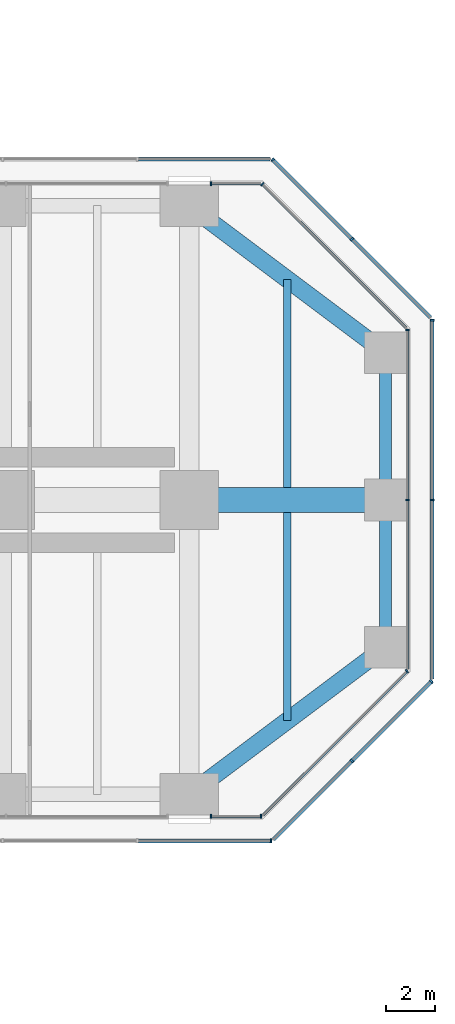
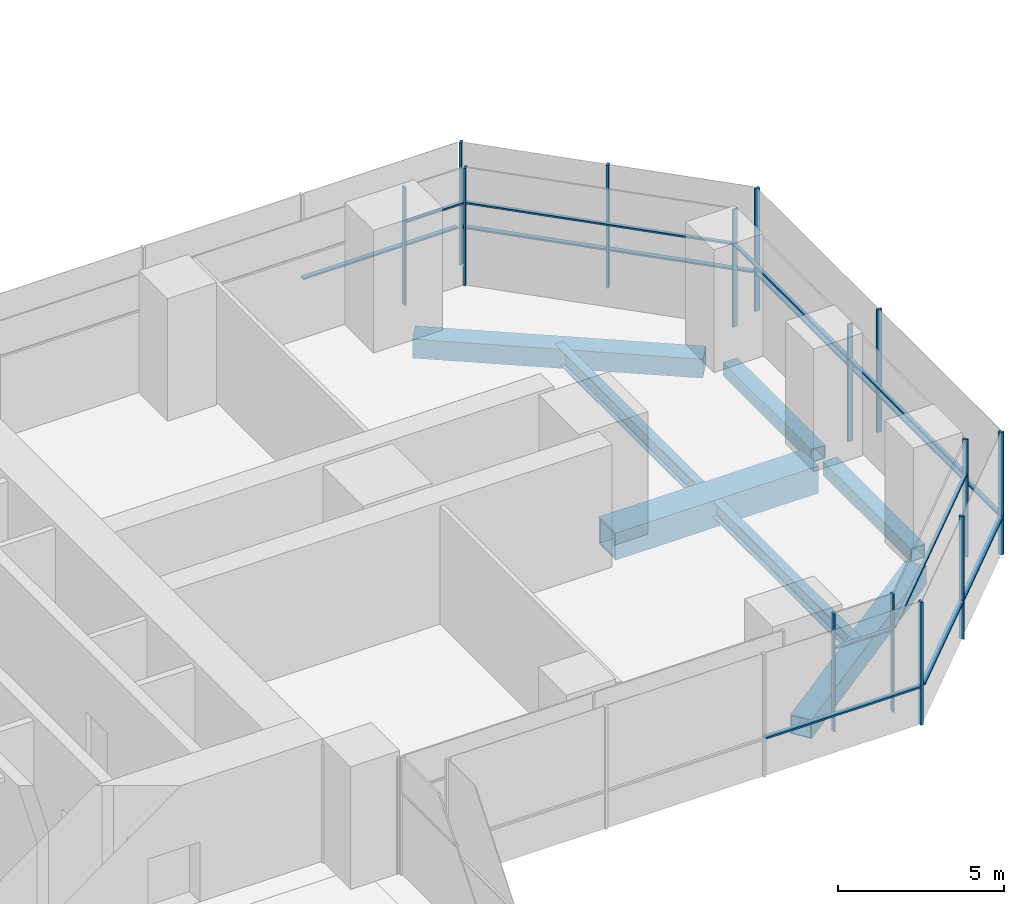
# One storey, part 11 of 27: 28 members, 7 beams, 10 elements without a shape of their own.
"""IFC4 building model written with IfcOpenShell, lengths in metres."""

import ifcopenshell
import ifcopenshell.guid

model = None  # the IFC model being written
_history = None  # IfcOwnerHistory: only IFC2X3 demands one
_inside = {}  # id of a spatial element -> (the spatial element, [elements in it])
_under = {}  # id of a project, library or spatial element -> (it, [spatial elements below it])
_declared = {}  # id of a project -> (the project, [libraries it declares])
_typed = {}  # id of a type object -> (the type object, [elements of that type])
_made_of = {}  # id of a material, layer set ... -> (it, [elements and type objects made of it])


def new_model(schema):
    """Start an empty IFC model of exactly this schema.

    Asked for "IFC4X3", IfcOpenShell would pick the latest addendum, in which some entities
    have other attributes; the version numbers below select the first issue.
    IFC2X3 requires an IfcOwnerHistory on every rooted entity: one is made here for all.
    """
    global model, _history
    if schema == "IFC4X3":
        model = ifcopenshell.file(schema_version=(4, 3, 0, 0))
    else:
        model = ifcopenshell.file(schema=schema)
    _inside.clear()
    _under.clear()
    _declared.clear()
    _typed.clear()
    _made_of.clear()
    _history = None
    if model.schema == "IFC2X3":
        org = make("IfcOrganization", Name="unknown")
        user = make(
            "IfcPersonAndOrganization",
            ThePerson=make("IfcPerson", FamilyName="unknown"),
            TheOrganization=org,
        )
        app = make(
            "IfcApplication",
            ApplicationDeveloper=org,
            Version="unknown",
            ApplicationFullName="unknown",
            ApplicationIdentifier="unknown",
        )
        _history = make(
            "IfcOwnerHistory",
            OwningUser=user,
            OwningApplication=app,
            ChangeAction="ADDED",
            CreationDate=0,
        )
    return model


def make(cls, **values):
    """One entity of the class cls with the attributes given. An attribute that is None is left unset."""
    return model.create_entity(
        cls, **{name: value for name, value in values.items() if value is not None}
    )


def rooted(cls, **values):
    """An entity with a GlobalId (a new one), such as an element, a storey or a relation."""
    return make(cls, GlobalId=ifcopenshell.guid.new(), OwnerHistory=_history, **values)


def si_unit(unit_type, name, prefix=None):
    """IfcSIUnit, for example si_unit("LENGTHUNIT", "METRE", prefix="MILLI")."""
    return make("IfcSIUnit", UnitType=unit_type, Prefix=prefix, Name=name)


def assignment(units):
    """IfcUnitAssignment: the units of a project."""
    return None if units is None else make("IfcUnitAssignment", Units=units)


def point(xyz):
    """IfcCartesianPoint."""
    return None if xyz is None else make("IfcCartesianPoint", Coordinates=xyz)


def direction(xyz):
    """IfcDirection."""
    return None if xyz is None else make("IfcDirection", DirectionRatios=xyz)


def frame(location, z_axis=None, x_axis=None):
    """IfcAxis2Placement3D, a coordinate frame: its origin and axes. An axis left out is left unset."""
    return make(
        "IfcAxis2Placement3D",
        Location=point(location),
        Axis=direction(z_axis),
        RefDirection=direction(x_axis),
    )


def frame_2d(location, x_axis=None):
    """IfcAxis2Placement2D, a coordinate frame in the plane: its origin and x axis."""
    return make(
        "IfcAxis2Placement2D", Location=point(location), RefDirection=direction(x_axis)
    )


def origin():
    """The frame at (0, 0, 0) with its axes left unset."""
    return frame((0.0, 0.0, 0.0))


def origin_2d():
    """The frame at (0, 0) in the plane with its x axis left unset."""
    return frame_2d((0.0, 0.0))


def place(relative_to, where):
    """IfcLocalPlacement: puts the frame where relative to a parent placement (None: the world)."""
    return make(
        "IfcLocalPlacement", PlacementRelTo=relative_to, RelativePlacement=where
    )


def context(
    kind, dimensions, precision=None, world=None, true_north=None, identifier=None
):
    """IfcGeometricRepresentationContext, for example the 3D "Model" context."""
    return make(
        "IfcGeometricRepresentationContext",
        ContextIdentifier=identifier,
        ContextType=kind,
        CoordinateSpaceDimension=dimensions,
        Precision=precision,
        WorldCoordinateSystem=world,
        TrueNorth=true_north,
    )


def subcontext(parent, identifier, kind, view, scale=None):
    """IfcGeometricRepresentationSubContext, for example "Body" below "Model"."""
    return make(
        "IfcGeometricRepresentationSubContext",
        ContextIdentifier=identifier,
        ContextType=kind,
        ParentContext=parent,
        TargetScale=scale,
        TargetView=view,
    )


def project(units=None, contexts=None):
    """IfcProject with its units and contexts."""
    return rooted(
        "IfcProject",
        Name="project",
        RepresentationContexts=contexts,
        UnitsInContext=assignment(units),
    )


def spatial(cls, under=None, at=None, **own):
    """A site, building, storey or space (cls), placed at a placement, below another one or the project."""
    s = rooted(cls, ObjectPlacement=at, **own)
    if under is not None:
        _under.setdefault(under.id(), (under, []))[1].append(s)
    return s


def profile(cls, at=None, kind="AREA", **sizes):
    """A parametric profile (cls). Its sizes go by their IFC names, for example OverallWidth=200.0."""
    return make(cls, ProfileType=kind, Position=at, **sizes)


def rectangle(**sizes):
    """IfcRectangleProfileDef."""
    return profile("IfcRectangleProfileDef", **sizes)


def hollow_rectangle(**sizes):
    """IfcRectangleHollowProfileDef."""
    return profile("IfcRectangleHollowProfileDef", **sizes)


def i_section(**sizes):
    """IfcIShapeProfileDef."""
    return profile("IfcIShapeProfileDef", **sizes)


def extrude(swept, where, along, depth):
    """IfcExtrudedAreaSolid: the profile swept, set in the frame where, extruded along a direction by depth."""
    return make(
        "IfcExtrudedAreaSolid",
        SweptArea=swept,
        Position=where,
        ExtrudedDirection=direction(along),
        Depth=depth,
    )


def shape(context_of_items, identifier, shape_type, items):
    """IfcShapeRepresentation: the items that make up one representation, for example the "Body"."""
    return make(
        "IfcShapeRepresentation",
        ContextOfItems=context_of_items,
        RepresentationIdentifier=identifier,
        RepresentationType=shape_type,
        Items=items,
    )


def material(Name=None, Category=None):
    """IfcMaterial."""
    return make("IfcMaterial", Name=Name, Category=Category)


def material_profile(
    of_material, cross_section, Name=None, Category=None, Priority=None
):
    """IfcMaterialProfile: a cross section and its material."""
    return make(
        "IfcMaterialProfile",
        Name=Name,
        Material=of_material,
        Profile=cross_section,
        Priority=Priority,
        Category=Category,
    )


def profile_set(profiles, Name=None, composite=None):
    """IfcMaterialProfileSet."""
    return make(
        "IfcMaterialProfileSet",
        Name=Name,
        MaterialProfiles=profiles,
        CompositeProfile=composite,
    )


def made_of(thing, what):
    """Note that an element or type object is made of a material, layer set ...; save() writes the relation."""
    if what is not None:
        _made_of.setdefault(what.id(), (what, []))[1].append(thing)
    return thing


def type_object(cls, material=None, **own):
    """A type object (cls), such as IfcWallType, which elements share."""
    return made_of(rooted(cls, **own), material)


def element(
    cls,
    number,
    at=None,
    inside=None,
    cuts=None,
    type_object=None,
    material=None,
    context=None,
    identifier="Body",
    shape_type=None,
    held_by="IfcProductDefinitionShape",
    body=None,
    shapes=None,
    **own,
):
    """One element of the class cls, such as IfcWall. Its Tag is "e" and its number.

    at: its placement. inside: the storey or other place that contains it. cuts: it is an
    opening in that element (IfcRelVoidsElement). A single representation is given by context,
    identifier, shape_type and body (its items); several are given by shapes. held_by: the class
    of the entity that holds the representations. save() writes the other relations.
    """
    e = rooted(cls, Tag="e%d" % number, ObjectPlacement=at, **own)
    if body is not None:
        shapes = [shape(context, identifier, shape_type, body)]
    if shapes is not None:
        e.Representation = make(held_by, Representations=shapes)
    if inside is not None:
        _inside.setdefault(inside.id(), (inside, []))[1].append(e)
    if cuts is not None:
        rooted(
            "IfcRelVoidsElement", RelatingBuildingElement=cuts, RelatedOpeningElement=e
        )
    if type_object is not None:
        _typed.setdefault(type_object.id(), (type_object, []))[1].append(e)
    return made_of(e, material)


def aggregate(whole, parts):
    """IfcRelAggregates: a whole, such as a stair, and the parts it consists of."""
    return rooted("IfcRelAggregates", RelatingObject=whole, RelatedObjects=parts)


def save(model, path):
    """Write the relations noted so far, then the file.

    IfcRelAggregates (storeys below a building ...), IfcRelContainedInSpatialStructure (elements
    in a storey), IfcRelDefinesByType, IfcRelAssociatesMaterial and IfcRelDeclares: one each for
    every whole, place, type object, material and project.
    """
    for whole, parts in _under.values():
        aggregate(whole, parts)
    for where, things in _inside.values():
        rooted(
            "IfcRelContainedInSpatialStructure",
            RelatedElements=things,
            RelatingStructure=where,
        )
    for kind, things in _typed.values():
        rooted("IfcRelDefinesByType", RelatedObjects=things, RelatingType=kind)
    for what, things in _made_of.values():
        rooted("IfcRelAssociatesMaterial", RelatedObjects=things, RelatingMaterial=what)
    for by, libraries in _declared.values():
        rooted("IfcRelDeclares", RelatingContext=by, RelatedDefinitions=libraries)
    model.write(path)


model = new_model("IFC4")

# Units and contexts
model_context = context("Model", 3, precision=1e-05, world=origin(), true_north=direction((0.0, 1.0)))
body_context = subcontext(model_context, "Body", "Model", "MODEL_VIEW")
ifc_project = project(units=[si_unit("LENGTHUNIT", "METRE"), si_unit("AREAUNIT", "SQUARE_METRE"), si_unit("VOLUMEUNIT", "CUBIC_METRE"), si_unit("PLANEANGLEUNIT", "RADIAN"), si_unit("MASSUNIT", "GRAM", prefix="KILO")], contexts=[model_context])

# Site, building, storey
site_placement = place(None, origin())
site = spatial("IfcSite", under=ifc_project, at=site_placement, CompositionType="ELEMENT")
building_placement = place(site_placement, origin())
building = spatial("IfcBuilding", under=site, at=building_placement, Name="Mizan Broadcast Tower", CompositionType="ELEMENT")
storey_placement = place(building_placement, frame((0.0, 0.0, 113.699951171875)))
storey = spatial("IfcBuildingStorey", under=building, at=storey_placement, Name="L25", CompositionType="ELEMENT", Elevation=113.699951171875)

# Beams
ifc_material_1 = material(Name="Steel S355", Category="steel")
ifc_material_profile_1 = material_profile(ifc_material_1, hollow_rectangle(XDim=0.5, YDim=0.5, WallThickness=0.030029296875, at=origin_2d()), Name="BOX 500x500x30")
ifc_profile_set_1 = profile_set([ifc_material_profile_1], Name="Steel S355")
beam_type_1 = type_object("IfcBeamType", Name="EDGE BEAM BOX 500x500x30", PredefinedType="SPANDREL", material=ifc_profile_set_1)
for number, where, z_axis, x_axis, name in (
    (1, (35.0, -5.639892578125, -0.3798828125), (0.0, 1.0, 0.0), (-1.0, 0.0, 0.0), "Edge beam BOX 500x500x30 L25 east arm"),
    (2, (35.0, 5.639892578125, -0.3798828125), (0.0, -1.0, 0.0), (1.0, 0.0, 0.0), "Edge beam BOX 500x500x30 L25 east arm"),
):
    element("IfcBeam", number, at=place(storey_placement, frame(where, z_axis=z_axis, x_axis=x_axis)), inside=storey, type_object=beam_type_1, Name=name, PredefinedType="SPANDREL", context=body_context, shape_type="SweptSolid", body=[
        extrude(hollow_rectangle(XDim=0.5, YDim=0.5, WallThickness=0.030029296875, at=origin_2d()), origin(), (0.0, 0.0, 1.0), 5.27978515625),
    ])
ifc_material_2 = material(Name="Steel S355", Category="steel")
ifc_material_profile_2 = material_profile(ifc_material_2, hollow_rectangle(XDim=0.699951171875, YDim=0.699951171875, WallThickness=0.0400390625, at=origin_2d()), Name="BOX 700x700x40")
ifc_profile_set_2 = profile_set([ifc_material_profile_2], Name="Steel S355")
beam_type_2 = type_object("IfcBeamType", Name="EDGE BEAM BOX 700x700x40", PredefinedType="SPANDREL", material=ifc_profile_set_2)
for number, where, z_axis, x_axis, name in (
    (3, (27.47998046875, -11.639892578125, -0.47998046875), (0.800013316712, 0.599982243973, 0.0), (-0.599982243973, 0.800013316712, 0.0), "Edge beam BOX 700x700x40 L25 east arm"),
    (4, (27.47998046875, 11.639892578125, -0.47998046875), (0.800013316712, -0.599982243973, 0.0), (0.599982243973, 0.800013316712, 0.0), "Edge beam BOX 700x700x40 L25 east arm"),
):
    element("IfcBeam", number, at=place(storey_placement, frame(where, z_axis=z_axis, x_axis=x_axis)), inside=storey, type_object=beam_type_2, Name=name, PredefinedType="SPANDREL", context=body_context, shape_type="SweptSolid", body=[
        extrude(hollow_rectangle(XDim=0.699951171875, YDim=0.699951171875, WallThickness=0.0400390625, at=origin_2d()), origin(), (0.0, 0.0, 1.0), 8.7998046875),
    ])
ifc_material_3 = material(Name="Steel S460", Category="steel")
ifc_material_profile_3 = material_profile(ifc_material_3, hollow_rectangle(XDim=1.0, YDim=1.0, WallThickness=0.080078125, at=origin_2d()), Name="BOX 1000x1000x80")
ifc_profile_set_3 = profile_set([ifc_material_profile_3], Name="Steel S460")
beam_type_3 = type_object("IfcBeamType", Name="GIRDER BOX 1000x1000x80", PredefinedType="BEAM", material=ifc_profile_set_3)
beam_placement = place(storey_placement, frame((27.47998046875, 0.0, -0.6298828125), z_axis=(1.0, 0.0, 0.0), x_axis=(0.0, 1.0, 0.0)))
element("IfcBeam", 5, at=beam_placement, inside=storey, type_object=beam_type_3, Name="Girder BOX 1000x1000x80 L25 east arm", PredefinedType="BEAM", context=body_context, shape_type="SweptSolid", body=[
    extrude(hollow_rectangle(XDim=1.0, YDim=1.0, WallThickness=0.080078125, at=origin_2d()), origin(), (0.0, 0.0, 1.0), 7.0400390625),
])

# Curtain wall, members
ifc_material_4 = material(Name="Aluminium framed glazing", Category="aluminium")
curtain_wall_type_1 = type_object("IfcCurtainWallType", Name="INNER SKIN MID ZONE", PredefinedType="USERDEFINED", material=ifc_material_4)
curtain_wall_1_placement = place(storey_placement, origin())
curtain_wall_1 = element("IfcCurtainWall", 6, at=curtain_wall_1_placement, inside=storey, type_object=curtain_wall_type_1, Name="Inner skin mid zone L25 E side", ObjectType="INNER SKIN MID ZONE", PredefinedType="USERDEFINED")
ifc_material_5 = material(Name="Aluminium, pale anodised", Category="aluminium")
ifc_material_profile_4 = material_profile(ifc_material_5, rectangle(XDim=0.159912109375, YDim=0.06005859375, at=origin_2d()), Name="MULLION 160x60")
ifc_profile_set_4 = profile_set([ifc_material_profile_4], Name="Aluminium, pale anodised")
member_type_1 = type_object("IfcMemberType", Name="INNER SKIN MULLION 60x160", PredefinedType="MULLION", material=ifc_profile_set_4)
member_1_placement = place(storey_placement, frame((27.8798828125, -12.89990234375, 0.0), z_axis=(0.0, 0.0, 1.0), x_axis=(0.0, 1.0, 0.0)))
member_1 = element("IfcMember", 7, at=member_1_placement, type_object=member_type_1, Name="Inner skin mid zone L25 E side mullion 1", PredefinedType="MULLION", context=body_context, shape_type="SweptSolid", body=[
    extrude(rectangle(XDim=0.159912109375, YDim=0.06005859375, at=origin_2d()), origin(), (0.0, 0.0, 1.0), 4.320068359375),
])
member_2_placement = place(storey_placement, frame((29.928466796875, -12.89990234375, 0.0), z_axis=(0.0, 0.0, 1.0), x_axis=(0.0, 1.0, 0.0)))
member_2 = element("IfcMember", 8, at=member_2_placement, type_object=member_type_1, Name="Inner skin mid zone L25 E side mullion 2", PredefinedType="MULLION", context=body_context, shape_type="SweptSolid", body=[
    extrude(rectangle(XDim=0.159912109375, YDim=0.06005859375, at=origin_2d()), origin(), (0.0, 0.0, 1.0), 4.320068359375),
])

# Curtain wall, member
curtain_wall_2_placement = place(storey_placement, origin())
curtain_wall_2 = element("IfcCurtainWall", 9, at=curtain_wall_2_placement, inside=storey, type_object=curtain_wall_type_1, Name="Inner skin mid zone L25 E chamfer", ObjectType="INNER SKIN MID ZONE", PredefinedType="USERDEFINED")
member_3_placement = place(storey_placement, frame((35.87890625, -6.979736328125, 0.0), z_axis=(0.0, 0.0, 1.0), x_axis=(-0.707106781187, 0.707106781187, 0.0)))
member_3 = element("IfcMember", 10, at=member_3_placement, type_object=member_type_1, Name="Inner skin mid zone L25 E chamfer mullion 2", PredefinedType="MULLION", context=body_context, shape_type="SweptSolid", body=[
    extrude(rectangle(XDim=0.159912109375, YDim=0.06005859375, at=origin_2d()), origin(), (0.0, 0.0, 1.0), 4.320068359375),
])

# Curtain wall, members
curtain_wall_3_placement = place(storey_placement, origin())
curtain_wall_3 = element("IfcCurtainWall", 11, at=curtain_wall_3_placement, inside=storey, type_object=curtain_wall_type_1, Name="Inner skin mid zone L25 E end", ObjectType="INNER SKIN MID ZONE", PredefinedType="USERDEFINED")
member_4_placement = place(storey_placement, frame((35.89990234375, 0.0, 0.0), z_axis=(0.0, 0.0, 1.0), x_axis=(-1.0, 0.0, 0.0)))
member_4 = element("IfcMember", 12, at=member_4_placement, type_object=member_type_1, Name="Inner skin mid zone L25 E end mullion 2", PredefinedType="MULLION", context=body_context, shape_type="SweptSolid", body=[
    extrude(rectangle(XDim=0.159912109375, YDim=0.06005859375, at=origin_2d()), origin(), (0.0, 0.0, 1.0), 4.320068359375),
])
member_5_placement = place(storey_placement, frame((35.89990234375, 6.928466796875, 0.0), z_axis=(0.0, 0.0, 1.0), x_axis=(-1.0, 0.0, 0.0)))
member_5 = element("IfcMember", 13, at=member_5_placement, type_object=member_type_1, Name="Inner skin mid zone L25 E end mullion 3", PredefinedType="MULLION", context=body_context, shape_type="SweptSolid", body=[
    extrude(rectangle(XDim=0.159912109375, YDim=0.06005859375, at=origin_2d()), origin(), (0.0, 0.0, 1.0), 4.320068359375),
])

# Curtain wall, member
curtain_wall_4_placement = place(storey_placement, origin())
curtain_wall_4 = element("IfcCurtainWall", 14, at=curtain_wall_4_placement, inside=storey, type_object=curtain_wall_type_1, Name="Inner skin mid zone L25 E chamfer", ObjectType="INNER SKIN MID ZONE", PredefinedType="USERDEFINED")
member_6_placement = place(storey_placement, frame((29.979736328125, 12.87890625, 0.0), z_axis=(0.0, 0.0, 1.0), x_axis=(-0.707106781187, -0.707106781187, 0.0)))
member_6 = element("IfcMember", 15, at=member_6_placement, type_object=member_type_1, Name="Inner skin mid zone L25 E chamfer mullion 2", PredefinedType="MULLION", context=body_context, shape_type="SweptSolid", body=[
    extrude(rectangle(XDim=0.159912109375, YDim=0.06005859375, at=origin_2d()), origin(), (0.0, 0.0, 1.0), 4.320068359375),
])

curtain_wall_5_placement = place(storey_placement, origin())
curtain_wall_5 = element("IfcCurtainWall", 16, at=curtain_wall_5_placement, inside=storey, type_object=curtain_wall_type_1, Name="Inner skin mid zone L25 E side", ObjectType="INNER SKIN MID ZONE", PredefinedType="USERDEFINED")
member_7_placement = place(storey_placement, frame((27.8798828125, 12.89990234375, 0.0), z_axis=(0.0, 0.0, 1.0), x_axis=(0.0, -1.0, 0.0)))
member_7 = element("IfcMember", 17, at=member_7_placement, type_object=member_type_1, Name="Inner skin mid zone L25 E side mullion 2", PredefinedType="MULLION", context=body_context, shape_type="SweptSolid", body=[
    extrude(rectangle(XDim=0.159912109375, YDim=0.06005859375, at=origin_2d()), origin(), (0.0, 0.0, 1.0), 4.320068359375),
])

# Member
ifc_material_6 = material(Name="Aluminium, pale anodised", Category="aluminium")
ifc_material_profile_5 = material_profile(ifc_material_6, rectangle(XDim=0.1201171875, YDim=0.06005859375, at=origin_2d()), Name="TRANSOM 120x60")
ifc_profile_set_5 = profile_set([ifc_material_profile_5], Name="Aluminium, pale anodised")
member_type_2 = type_object("IfcMemberType", Name="INNER SKIN TRANSOM 60x120", PredefinedType="USERDEFINED", material=ifc_profile_set_5)
member_8_placement = place(storey_placement, frame((27.909912109375, -12.89990234375, 3.030029296875), z_axis=(1.0, 0.0, 0.0), x_axis=(0.0, 1.0, 0.0)))
member_8 = element("IfcMember", 18, at=member_8_placement, type_object=member_type_2, Name="Inner skin mid zone L25 E side transom 1.1", ObjectType="TRANSOM", PredefinedType="USERDEFINED", context=body_context, shape_type="SweptSolid", body=[
    extrude(rectangle(XDim=0.1201171875, YDim=0.06005859375, at=origin_2d()), origin(), (0.0, 0.0, 1.0), 1.98876953125),
])

aggregate(curtain_wall_1, [member_1, member_2, member_8])

member_9_placement = place(storey_placement, frame((30.0009765625, -12.857666015625, 3.030029296875), z_axis=(0.707106781187, 0.707106781187, 0.0), x_axis=(-0.707106781187, 0.707106781187, 0.0)))
member_9 = element("IfcMember", 19, at=member_9_placement, type_object=member_type_2, Name="Inner skin mid zone L25 E chamfer transom 1.1", ObjectType="TRANSOM", PredefinedType="USERDEFINED", context=body_context, shape_type="SweptSolid", body=[
    extrude(rectangle(XDim=0.1201171875, YDim=0.06005859375, at=origin_2d()), origin(), (0.0, 0.0, 1.0), 8.28271484375),
])

aggregate(curtain_wall_2, [member_3, member_9])

member_10_placement = place(storey_placement, frame((35.89990234375, -6.898681640625, 3.030029296875), z_axis=(0.0, 1.0, 0.0), x_axis=(-1.0, 0.0, 0.0)))
member_10 = element("IfcMember", 20, at=member_10_placement, type_object=member_type_2, Name="Inner skin mid zone L25 E end transom 1.1", ObjectType="TRANSOM", PredefinedType="USERDEFINED", context=body_context, shape_type="SweptSolid", body=[
    extrude(rectangle(XDim=0.1201171875, YDim=0.06005859375, at=origin_2d()), origin(), (0.0, 0.0, 1.0), 6.86865234375),
])

member_11_placement = place(storey_placement, frame((35.89990234375, 0.030029296875, 3.030029296875), z_axis=(0.0, 1.0, 0.0), x_axis=(-1.0, 0.0, 0.0)))
member_11 = element("IfcMember", 21, at=member_11_placement, type_object=member_type_2, Name="Inner skin mid zone L25 E end transom 2.1", ObjectType="TRANSOM", PredefinedType="USERDEFINED", context=body_context, shape_type="SweptSolid", body=[
    extrude(rectangle(XDim=0.1201171875, YDim=0.06005859375, at=origin_2d()), origin(), (0.0, 0.0, 1.0), 6.86865234375),
])

aggregate(curtain_wall_3, [member_4, member_5, member_10, member_11])

member_12_placement = place(storey_placement, frame((35.857666015625, 7.0009765625, 3.030029296875), z_axis=(-0.707106781187, 0.707106781187, 0.0), x_axis=(-0.707106781187, -0.707106781187, 0.0)))
member_12 = element("IfcMember", 22, at=member_12_placement, type_object=member_type_2, Name="Inner skin mid zone L25 E chamfer transom 1.1", ObjectType="TRANSOM", PredefinedType="USERDEFINED", context=body_context, shape_type="SweptSolid", body=[
    extrude(rectangle(XDim=0.1201171875, YDim=0.06005859375, at=origin_2d()), origin(), (0.0, 0.0, 1.0), 8.28271484375),
])

aggregate(curtain_wall_4, [member_6, member_12])

member_13_placement = place(storey_placement, frame((29.898681640625, 12.89990234375, 3.030029296875), z_axis=(-1.0, 0.0, 0.0), x_axis=(0.0, -1.0, 0.0)))
member_13 = element("IfcMember", 23, at=member_13_placement, type_object=member_type_2, Name="Inner skin mid zone L25 E side transom 1.1", ObjectType="TRANSOM", PredefinedType="USERDEFINED", context=body_context, shape_type="SweptSolid", body=[
    extrude(rectangle(XDim=0.1201171875, YDim=0.06005859375, at=origin_2d()), origin(), (0.0, 0.0, 1.0), 1.98876953125),
])

aggregate(curtain_wall_5, [member_7, member_13])

# Curtain wall, member
ifc_material_7 = material(Name="Aluminium framed glazing", Category="aluminium")
curtain_wall_type_2 = type_object("IfcCurtainWallType", Name="OUTER SKIN", PredefinedType="USERDEFINED", material=ifc_material_7)
curtain_wall_6_placement = place(storey_placement, origin())
curtain_wall_6 = element("IfcCurtainWall", 24, at=curtain_wall_6_placement, inside=storey, type_object=curtain_wall_type_2, Name="Outer skin L25 E side", ObjectType="OUTER SKIN", PredefinedType="USERDEFINED")
ifc_material_8 = material(Name="Aluminium, pale anodised", Category="aluminium")
ifc_material_profile_6 = material_profile(ifc_material_8, rectangle(XDim=0.159912109375, YDim=0.080078125, at=origin_2d()), Name="MULLION 160x80")
ifc_profile_set_6 = profile_set([ifc_material_profile_6], Name="Aluminium, pale anodised")
member_type_3 = type_object("IfcMemberType", Name="OUTER SKIN MULLION 80x160", PredefinedType="MULLION", material=ifc_profile_set_6)
member_14_placement = place(storey_placement, frame((30.332763671875, -13.89990234375, 0.0), z_axis=(0.0, 0.0, 1.0), x_axis=(0.0, 1.0, 0.0)))
member_14 = element("IfcMember", 25, at=member_14_placement, type_object=member_type_3, Name="Outer skin L25 E side mullion 4", PredefinedType="MULLION", context=body_context, shape_type="SweptSolid", body=[
    extrude(rectangle(XDim=0.159912109375, YDim=0.080078125, at=origin_2d()), origin(), (0.0, 0.0, 1.0), 4.5),
])

# Curtain wall, members
curtain_wall_7_placement = place(storey_placement, origin())
curtain_wall_7 = element("IfcCurtainWall", 26, at=curtain_wall_7_placement, inside=storey, type_object=curtain_wall_type_2, Name="Outer skin L25 E chamfer", ObjectType="OUTER SKIN", PredefinedType="USERDEFINED")
member_15_placement = place(storey_placement, frame((33.636474609375, -10.636474609375, 0.0), z_axis=(0.0, 0.0, 1.0), x_axis=(-0.707106781187, 0.707106781187, 0.0)))
member_15 = element("IfcMember", 27, at=member_15_placement, type_object=member_type_3, Name="Outer skin L25 E chamfer mullion 2", PredefinedType="MULLION", context=body_context, shape_type="SweptSolid", body=[
    extrude(rectangle(XDim=0.159912109375, YDim=0.080078125, at=origin_2d()), origin(), (0.0, 0.0, 1.0), 4.5),
])
member_16_placement = place(storey_placement, frame((36.871826171875, -7.401123046875, 0.0), z_axis=(0.0, 0.0, 1.0), x_axis=(-0.707106781187, 0.707106781187, 0.0)))
member_16 = element("IfcMember", 28, at=member_16_placement, type_object=member_type_3, Name="Outer skin L25 E chamfer mullion 3", PredefinedType="MULLION", context=body_context, shape_type="SweptSolid", body=[
    extrude(rectangle(XDim=0.159912109375, YDim=0.080078125, at=origin_2d()), origin(), (0.0, 0.0, 1.0), 4.5),
])

curtain_wall_8_placement = place(storey_placement, origin())
curtain_wall_8 = element("IfcCurtainWall", 29, at=curtain_wall_8_placement, inside=storey, type_object=curtain_wall_type_2, Name="Outer skin L25 E end", ObjectType="OUTER SKIN", PredefinedType="USERDEFINED")
member_17_placement = place(storey_placement, frame((36.89990234375, 0.0, 0.0), z_axis=(0.0, 0.0, 1.0), x_axis=(-1.0, 0.0, 0.0)))
member_17 = element("IfcMember", 30, at=member_17_placement, type_object=member_type_3, Name="Outer skin L25 E end mullion 2", PredefinedType="MULLION", context=body_context, shape_type="SweptSolid", body=[
    extrude(rectangle(XDim=0.159912109375, YDim=0.080078125, at=origin_2d()), origin(), (0.0, 0.0, 1.0), 4.5),
])
member_18_placement = place(storey_placement, frame((36.89990234375, 7.332763671875, 0.0), z_axis=(0.0, 0.0, 1.0), x_axis=(-1.0, 0.0, 0.0)))
member_18 = element("IfcMember", 31, at=member_18_placement, type_object=member_type_3, Name="Outer skin L25 E end mullion 3", PredefinedType="MULLION", context=body_context, shape_type="SweptSolid", body=[
    extrude(rectangle(XDim=0.159912109375, YDim=0.080078125, at=origin_2d()), origin(), (0.0, 0.0, 1.0), 4.5),
])

curtain_wall_9_placement = place(storey_placement, origin())
curtain_wall_9 = element("IfcCurtainWall", 32, at=curtain_wall_9_placement, inside=storey, type_object=curtain_wall_type_2, Name="Outer skin L25 E chamfer", ObjectType="OUTER SKIN", PredefinedType="USERDEFINED")
member_19_placement = place(storey_placement, frame((33.636474609375, 10.636474609375, 0.0), z_axis=(0.0, 0.0, 1.0), x_axis=(-0.707106781187, -0.707106781187, 0.0)))
member_19 = element("IfcMember", 33, at=member_19_placement, type_object=member_type_3, Name="Outer skin L25 E chamfer mullion 2", PredefinedType="MULLION", context=body_context, shape_type="SweptSolid", body=[
    extrude(rectangle(XDim=0.159912109375, YDim=0.080078125, at=origin_2d()), origin(), (0.0, 0.0, 1.0), 4.5),
])
member_20_placement = place(storey_placement, frame((30.401123046875, 13.871826171875, 0.0), z_axis=(0.0, 0.0, 1.0), x_axis=(-0.707106781187, -0.707106781187, 0.0)))
member_20 = element("IfcMember", 34, at=member_20_placement, type_object=member_type_3, Name="Outer skin L25 E chamfer mullion 3", PredefinedType="MULLION", context=body_context, shape_type="SweptSolid", body=[
    extrude(rectangle(XDim=0.159912109375, YDim=0.080078125, at=origin_2d()), origin(), (0.0, 0.0, 1.0), 4.5),
])

# Member
ifc_material_9 = material(Name="Aluminium, pale anodised", Category="aluminium")
ifc_material_profile_7 = material_profile(ifc_material_9, rectangle(XDim=0.159912109375, YDim=0.06005859375, at=origin_2d()), Name="TRANSOM 160x60")
ifc_profile_set_7 = profile_set([ifc_material_profile_7], Name="Aluminium, pale anodised")
member_type_4 = type_object("IfcMemberType", Name="OUTER SKIN TRANSOM 60x160", PredefinedType="USERDEFINED", material=ifc_profile_set_7)
member_21_placement = place(storey_placement, frame((24.921875, -13.89990234375, 1.400146484375), z_axis=(1.0, 0.0, 0.0), x_axis=(0.0, 1.0, 0.0)))
member_21 = element("IfcMember", 35, at=member_21_placement, type_object=member_type_4, Name="Outer skin L25 E side transom 3.1", ObjectType="TRANSOM", PredefinedType="USERDEFINED", context=body_context, shape_type="SweptSolid", body=[
    extrude(rectangle(XDim=0.159912109375, YDim=0.06005859375, at=origin_2d()), origin(), (0.0, 0.0, 1.0), 5.370849609375),
])

aggregate(curtain_wall_6, [member_14, member_21])

member_22_placement = place(storey_placement, frame((30.429443359375, -13.843505859375, 1.400146484375), z_axis=(0.707106781187, 0.707106781187, 0.0), x_axis=(-0.707106781187, 0.707106781187, 0.0)))
member_22 = element("IfcMember", 36, at=member_22_placement, type_object=member_type_4, Name="Outer skin L25 E chamfer transom 1.1", ObjectType="TRANSOM", PredefinedType="USERDEFINED", context=body_context, shape_type="SweptSolid", body=[
    extrude(rectangle(XDim=0.159912109375, YDim=0.06005859375, at=origin_2d()), origin(), (0.0, 0.0, 1.0), 4.495361328125),
])

member_23_placement = place(storey_placement, frame((33.664794921875, -10.608154296875, 1.400146484375), z_axis=(0.707106781187, 0.707106781187, 0.0), x_axis=(-0.707106781187, 0.707106781187, 0.0)))
member_23 = element("IfcMember", 37, at=member_23_placement, type_object=member_type_4, Name="Outer skin L25 E chamfer transom 2.1", ObjectType="TRANSOM", PredefinedType="USERDEFINED", context=body_context, shape_type="SweptSolid", body=[
    extrude(rectangle(XDim=0.159912109375, YDim=0.06005859375, at=origin_2d()), origin(), (0.0, 0.0, 1.0), 4.495361328125),
])

aggregate(curtain_wall_7, [member_15, member_16, member_22, member_23])

member_24_placement = place(storey_placement, frame((36.89990234375, -7.292724609375, 1.400146484375), z_axis=(0.0, 1.0, 0.0), x_axis=(-1.0, 0.0, 0.0)))
member_24 = element("IfcMember", 38, at=member_24_placement, type_object=member_type_4, Name="Outer skin L25 E end transom 1.1", ObjectType="TRANSOM", PredefinedType="USERDEFINED", context=body_context, shape_type="SweptSolid", body=[
    extrude(rectangle(XDim=0.159912109375, YDim=0.06005859375, at=origin_2d()), origin(), (0.0, 0.0, 1.0), 7.252685546875),
])

member_25_placement = place(storey_placement, frame((36.89990234375, 0.0400390625, 1.400146484375), z_axis=(0.0, 1.0, 0.0), x_axis=(-1.0, 0.0, 0.0)))
member_25 = element("IfcMember", 39, at=member_25_placement, type_object=member_type_4, Name="Outer skin L25 E end transom 2.1", ObjectType="TRANSOM", PredefinedType="USERDEFINED", context=body_context, shape_type="SweptSolid", body=[
    extrude(rectangle(XDim=0.159912109375, YDim=0.06005859375, at=origin_2d()), origin(), (0.0, 0.0, 1.0), 7.252685546875),
])

aggregate(curtain_wall_8, [member_17, member_18, member_24, member_25])

member_26_placement = place(storey_placement, frame((36.843505859375, 7.429443359375, 1.400146484375), z_axis=(-0.707106781187, 0.707106781187, 0.0), x_axis=(-0.707106781187, -0.707106781187, 0.0)))
member_26 = element("IfcMember", 40, at=member_26_placement, type_object=member_type_4, Name="Outer skin L25 E chamfer transom 1.1", ObjectType="TRANSOM", PredefinedType="USERDEFINED", context=body_context, shape_type="SweptSolid", body=[
    extrude(rectangle(XDim=0.159912109375, YDim=0.06005859375, at=origin_2d()), origin(), (0.0, 0.0, 1.0), 4.495361328125),
])

member_27_placement = place(storey_placement, frame((33.608154296875, 10.664794921875, 1.400146484375), z_axis=(-0.707106781187, 0.707106781187, 0.0), x_axis=(-0.707106781187, -0.707106781187, 0.0)))
member_27 = element("IfcMember", 41, at=member_27_placement, type_object=member_type_4, Name="Outer skin L25 E chamfer transom 2.1", ObjectType="TRANSOM", PredefinedType="USERDEFINED", context=body_context, shape_type="SweptSolid", body=[
    extrude(rectangle(XDim=0.159912109375, YDim=0.06005859375, at=origin_2d()), origin(), (0.0, 0.0, 1.0), 4.495361328125),
])

aggregate(curtain_wall_9, [member_19, member_20, member_26, member_27])

# Curtain wall, member
curtain_wall_10_placement = place(storey_placement, origin())
curtain_wall_10 = element("IfcCurtainWall", 42, at=curtain_wall_10_placement, inside=storey, type_object=curtain_wall_type_2, Name="Outer skin L25 E side", ObjectType="OUTER SKIN", PredefinedType="USERDEFINED")
member_28_placement = place(storey_placement, frame((30.292724609375, 13.89990234375, 1.400146484375), z_axis=(-1.0, 0.0, 0.0), x_axis=(0.0, -1.0, 0.0)))
member_28 = element("IfcMember", 43, at=member_28_placement, type_object=member_type_4, Name="Outer skin L25 E side transom 1.1", ObjectType="TRANSOM", PredefinedType="USERDEFINED", context=body_context, shape_type="SweptSolid", body=[
    extrude(rectangle(XDim=0.159912109375, YDim=0.06005859375, at=origin_2d()), origin(), (0.0, 0.0, 1.0), 5.370849609375),
])
aggregate(curtain_wall_10, [member_28])

# Beams
ifc_material_10 = material(Name="Steel S355", Category="steel")
ifc_material_profile_8 = material_profile(ifc_material_10, i_section(OverallWidth=0.300048828125, OverallDepth=0.590087890625, WebThickness=0.012939453125, FlangeThickness=0.02490234375, FilletRadius=0.027099609375, at=origin_2d()), Name="HEA 600")
ifc_profile_set_8 = profile_set([ifc_material_profile_8], Name="Steel S355")
beam_type_4 = type_object("IfcBeamType", Name="SECONDARY BEAM HEA 600", PredefinedType="JOIST", material=ifc_profile_set_8)
for number, where, z_axis, x_axis, name in (
    (44, (31.0, -9.0, -0.425048828125), (0.0, 1.0, 0.0), (-1.0, 0.0, 0.0), "Secondary beam HEA 600 L25 east arm"),
    (45, (31.0, 9.0, -0.425048828125), (0.0, -1.0, 0.0), (1.0, 0.0, 0.0), "Secondary beam HEA 600 L25 east arm"),
):
    element("IfcBeam", number, at=place(storey_placement, frame(where, z_axis=z_axis, x_axis=x_axis)), inside=storey, type_object=beam_type_4, Name=name, PredefinedType="JOIST", context=body_context, shape_type="SweptSolid", body=[
        extrude(i_section(OverallWidth=0.300048828125, OverallDepth=0.590087890625, WebThickness=0.012939453125, FlangeThickness=0.02490234375, FilletRadius=0.027099609375, at=origin_2d()), origin(), (0.0, 0.0, 1.0), 8.5),
    ])

save(model, "model.ifc")
